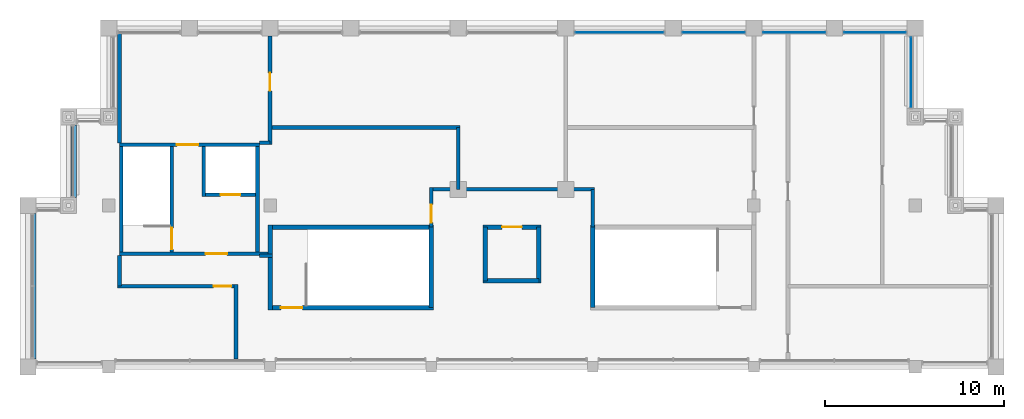
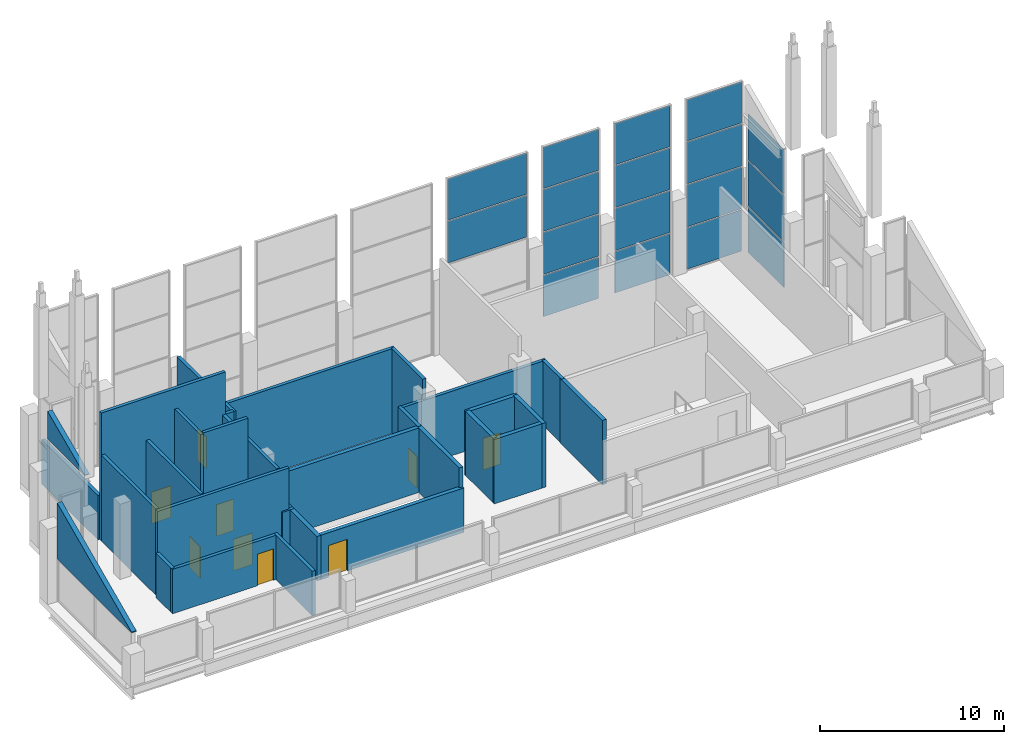
# One storey, part 7 of 9: 30 walls, 17 plates, 9 doors, 9 openings, 5 elements without a shape of their own.
"""IFC4 building model written with IfcOpenShell, lengths in metres."""

from ifc_helpers import new_model, si_unit, direction, frame, frame_2d, origin, origin_2d, place, context, subcontext, project, spatial, polyline, rectangle, outline, extrude, material, layer, layer_set, type_object, element, fill, aggregate, save


model = new_model("IFC4")

# Units and contexts
model_context = context("Model", 3, precision=1e-05, world=origin(), true_north=direction((0.0, 1.0)))
body_context = subcontext(model_context, "Body", "Model", "MODEL_VIEW")
ifc_project = project(units=[si_unit("LENGTHUNIT", "METRE"), si_unit("AREAUNIT", "SQUARE_METRE"), si_unit("VOLUMEUNIT", "CUBIC_METRE"), si_unit("PLANEANGLEUNIT", "RADIAN"), si_unit("MASSUNIT", "GRAM", prefix="KILO")], contexts=[model_context])

# Site, building, storey
site_placement = place(None, origin())
site = spatial("IfcSite", under=ifc_project, at=site_placement, CompositionType="ELEMENT")
building_placement = place(site_placement, origin())
building = spatial("IfcBuilding", under=site, at=building_placement, Name="Corbelhall Arena Tower", CompositionType="ELEMENT")
storey_placement = place(building_placement, frame((0.0, 0.0, 386.0)))
storey = spatial("IfcBuildingStorey", under=building, at=storey_placement, Name="L83", CompositionType="ELEMENT", Elevation=386.0)

# Curtain wall, plates
ifc_material_1 = material(Name="Aluminium black anodised", Category="aluminium")
ifc_layer_1 = layer(ifc_material_1, 0.179931640625)
ifc_layer_set_1 = layer_set([ifc_layer_1], Name="EV-CW3 Crown glazing")
curtain_wall_type = type_object("IfcCurtainWallType", Name="EV-CW3 Crown glazing", PredefinedType="NOTDEFINED", material=ifc_layer_set_1)
curtain_wall_1_placement = place(storey_placement, origin())
curtain_wall_1 = element("IfcCurtainWall", 1, at=curtain_wall_1_placement, inside=storey, type_object=curtain_wall_type, Name="Curtain wall CW3H", PredefinedType="NOTDEFINED")
ifc_material_2 = material(Name="Glass dark tinted laminated", Category="glass")
ifc_layer_2 = layer(ifc_material_2, 0.028076171875)
ifc_layer_set_2 = layer_set([ifc_layer_2], Name="EV-CW3-PANEL")
plate_type = type_object("IfcPlateType", Name="EV-CW3-PANEL", PredefinedType="CURTAIN_PANEL", material=ifc_layer_set_2)
plate_1_placement = place(storey_placement, frame((22.25, 25.425048828125, 0.0751953125), z_axis=(0.0, 0.0, 1.0), x_axis=(0.0, 1.0, 0.0)))
plate_1 = element("IfcPlate", 2, at=plate_1_placement, type_object=plate_type, Name="CW3H panel 1.1", PredefinedType="CURTAIN_PANEL", context=body_context, shape_type="SweptSolid", body=[
    extrude(rectangle(XDim=3.89990234375, YDim=0.028076171875, at=origin_2d()), origin(), (0.0, 0.0, 1.0), 2.996337890625),
])
plate_2_placement = place(storey_placement, frame((22.25, 25.425048828125, 3.146484375), z_axis=(0.0, 0.0, 1.0), x_axis=(0.0, 1.0, 0.0)))
plate_2 = element("IfcPlate", 3, at=plate_2_placement, type_object=plate_type, Name="CW3H panel 1.2", PredefinedType="CURTAIN_PANEL", context=body_context, shape_type="SweptSolid", body=[
    extrude(rectangle(XDim=3.89990234375, YDim=0.028076171875, at=origin_2d()), origin(), (0.0, 0.0, 1.0), 3.033935546875),
])
plate_3_placement = place(storey_placement, frame((22.25, 25.425048828125, 6.25537109375), z_axis=(0.0, 0.0, 1.0), x_axis=(0.0, 1.0, 0.0)))
plate_3 = element("IfcPlate", 4, at=plate_3_placement, type_object=plate_type, Name="CW3H panel 1.3", PredefinedType="CURTAIN_PANEL", context=body_context, shape_type="SweptSolid", body=[
    extrude(rectangle(XDim=3.89990234375, YDim=0.028076171875, at=origin_2d()), origin(), (0.0, 0.0, 1.0), 2.996337890625),
])
aggregate(curtain_wall_1, [plate_1, plate_2, plate_3])

curtain_wall_2_placement = place(storey_placement, origin())
curtain_wall_2 = element("IfcCurtainWall", 5, at=curtain_wall_2_placement, inside=storey, type_object=curtain_wall_type, Name="Curtain wall CW3", PredefinedType="NOTDEFINED")
plate_4_placement = place(storey_placement, frame((20.25, 27.64990234375, 0.0751953125), z_axis=(0.0, 0.0, 1.0), x_axis=(-1.0, 0.0, 0.0)))
plate_4 = element("IfcPlate", 6, at=plate_4_placement, type_object=plate_type, Name="CW3 panel 1.1", PredefinedType="CURTAIN_PANEL", context=body_context, shape_type="SweptSolid", body=[
    extrude(rectangle(XDim=3.449951171875, YDim=0.028076171875, at=origin_2d()), origin(), (0.0, 0.0, 1.0), 2.737548828125),
])
plate_5_placement = place(storey_placement, frame((20.25, 27.64990234375, 2.887451171875), z_axis=(0.0, 0.0, 1.0), x_axis=(-1.0, 0.0, 0.0)))
plate_5 = element("IfcPlate", 7, at=plate_5_placement, type_object=plate_type, Name="CW3 panel 1.2", PredefinedType="CURTAIN_PANEL", context=body_context, shape_type="SweptSolid", body=[
    extrude(rectangle(XDim=3.449951171875, YDim=0.028076171875, at=origin_2d()), origin(), (0.0, 0.0, 1.0), 2.77490234375),
])
plate_6_placement = place(storey_placement, frame((20.25, 27.64990234375, 5.737548828125), z_axis=(0.0, 0.0, 1.0), x_axis=(-1.0, 0.0, 0.0)))
plate_6 = element("IfcPlate", 8, at=plate_6_placement, type_object=plate_type, Name="CW3 panel 1.3", PredefinedType="CURTAIN_PANEL", context=body_context, shape_type="SweptSolid", body=[
    extrude(rectangle(XDim=3.449951171875, YDim=0.028076171875, at=origin_2d()), origin(), (0.0, 0.0, 1.0), 2.77490234375),
])
plate_7_placement = place(storey_placement, frame((20.25, 27.64990234375, 8.58740234375), z_axis=(0.0, 0.0, 1.0), x_axis=(-1.0, 0.0, 0.0)))
plate_7 = element("IfcPlate", 9, at=plate_7_placement, type_object=plate_type, Name="CW3 panel 1.4", PredefinedType="CURTAIN_PANEL", context=body_context, shape_type="SweptSolid", body=[
    extrude(rectangle(XDim=3.449951171875, YDim=0.028076171875, at=origin_2d()), origin(), (0.0, 0.0, 1.0), 2.737548828125),
])
aggregate(curtain_wall_2, [plate_4, plate_5, plate_6, plate_7])

curtain_wall_3_placement = place(storey_placement, origin())
curtain_wall_3 = element("IfcCurtainWall", 10, at=curtain_wall_3_placement, inside=storey, type_object=curtain_wall_type, Name="Curtain wall CW3", PredefinedType="NOTDEFINED")
plate_8_placement = place(storey_placement, frame((15.75, 27.64990234375, 0.0751953125), z_axis=(0.0, 0.0, 1.0), x_axis=(-1.0, 0.0, 0.0)))
plate_8 = element("IfcPlate", 11, at=plate_8_placement, type_object=plate_type, Name="CW3 panel 1.1", PredefinedType="CURTAIN_PANEL", context=body_context, shape_type="SweptSolid", body=[
    extrude(rectangle(XDim=3.449951171875, YDim=0.028076171875, at=origin_2d()), origin(), (0.0, 0.0, 1.0), 2.737548828125),
])
plate_9_placement = place(storey_placement, frame((15.75, 27.64990234375, 2.887451171875), z_axis=(0.0, 0.0, 1.0), x_axis=(-1.0, 0.0, 0.0)))
plate_9 = element("IfcPlate", 12, at=plate_9_placement, type_object=plate_type, Name="CW3 panel 1.2", PredefinedType="CURTAIN_PANEL", context=body_context, shape_type="SweptSolid", body=[
    extrude(rectangle(XDim=3.449951171875, YDim=0.028076171875, at=origin_2d()), origin(), (0.0, 0.0, 1.0), 2.77490234375),
])
plate_10_placement = place(storey_placement, frame((15.75, 27.64990234375, 5.737548828125), z_axis=(0.0, 0.0, 1.0), x_axis=(-1.0, 0.0, 0.0)))
plate_10 = element("IfcPlate", 13, at=plate_10_placement, type_object=plate_type, Name="CW3 panel 1.3", PredefinedType="CURTAIN_PANEL", context=body_context, shape_type="SweptSolid", body=[
    extrude(rectangle(XDim=3.449951171875, YDim=0.028076171875, at=origin_2d()), origin(), (0.0, 0.0, 1.0), 2.77490234375),
])
plate_11_placement = place(storey_placement, frame((15.75, 27.64990234375, 8.58740234375), z_axis=(0.0, 0.0, 1.0), x_axis=(-1.0, 0.0, 0.0)))
plate_11 = element("IfcPlate", 14, at=plate_11_placement, type_object=plate_type, Name="CW3 panel 1.4", PredefinedType="CURTAIN_PANEL", context=body_context, shape_type="SweptSolid", body=[
    extrude(rectangle(XDim=3.449951171875, YDim=0.028076171875, at=origin_2d()), origin(), (0.0, 0.0, 1.0), 2.737548828125),
])
aggregate(curtain_wall_3, [plate_8, plate_9, plate_10, plate_11])

curtain_wall_4_placement = place(storey_placement, origin())
curtain_wall_4 = element("IfcCurtainWall", 15, at=curtain_wall_4_placement, inside=storey, type_object=curtain_wall_type, Name="Curtain wall CW3", PredefinedType="NOTDEFINED")
plate_12_placement = place(storey_placement, frame((11.25, 27.64990234375, 0.0751953125), z_axis=(0.0, 0.0, 1.0), x_axis=(-1.0, 0.0, 0.0)))
plate_12 = element("IfcPlate", 16, at=plate_12_placement, type_object=plate_type, Name="CW3 panel 1.1", PredefinedType="CURTAIN_PANEL", context=body_context, shape_type="SweptSolid", body=[
    extrude(rectangle(XDim=3.449951171875, YDim=0.028076171875, at=origin_2d()), origin(), (0.0, 0.0, 1.0), 2.737548828125),
])
plate_13_placement = place(storey_placement, frame((11.25, 27.64990234375, 2.887451171875), z_axis=(0.0, 0.0, 1.0), x_axis=(-1.0, 0.0, 0.0)))
plate_13 = element("IfcPlate", 17, at=plate_13_placement, type_object=plate_type, Name="CW3 panel 1.2", PredefinedType="CURTAIN_PANEL", context=body_context, shape_type="SweptSolid", body=[
    extrude(rectangle(XDim=3.449951171875, YDim=0.028076171875, at=origin_2d()), origin(), (0.0, 0.0, 1.0), 2.77490234375),
])
plate_14_placement = place(storey_placement, frame((11.25, 27.64990234375, 5.737548828125), z_axis=(0.0, 0.0, 1.0), x_axis=(-1.0, 0.0, 0.0)))
plate_14 = element("IfcPlate", 18, at=plate_14_placement, type_object=plate_type, Name="CW3 panel 1.3", PredefinedType="CURTAIN_PANEL", context=body_context, shape_type="SweptSolid", body=[
    extrude(rectangle(XDim=3.449951171875, YDim=0.028076171875, at=origin_2d()), origin(), (0.0, 0.0, 1.0), 2.77490234375),
])
plate_15_placement = place(storey_placement, frame((11.25, 27.64990234375, 8.58740234375), z_axis=(0.0, 0.0, 1.0), x_axis=(-1.0, 0.0, 0.0)))
plate_15 = element("IfcPlate", 19, at=plate_15_placement, type_object=plate_type, Name="CW3 panel 1.4", PredefinedType="CURTAIN_PANEL", context=body_context, shape_type="SweptSolid", body=[
    extrude(rectangle(XDim=3.449951171875, YDim=0.028076171875, at=origin_2d()), origin(), (0.0, 0.0, 1.0), 2.737548828125),
])
aggregate(curtain_wall_4, [plate_12, plate_13, plate_14, plate_15])

curtain_wall_5_placement = place(storey_placement, origin())
curtain_wall_5 = element("IfcCurtainWall", 20, at=curtain_wall_5_placement, inside=storey, type_object=curtain_wall_type, Name="Curtain wall CW3B", PredefinedType="NOTDEFINED")
plate_16_placement = place(storey_placement, frame((6.0, 27.64990234375, 5.737548828125), z_axis=(0.0, 0.0, 1.0), x_axis=(-1.0, 0.0, 0.0)))
plate_16 = element("IfcPlate", 21, at=plate_16_placement, type_object=plate_type, Name="CW3B panel 1.3", PredefinedType="CURTAIN_PANEL", context=body_context, shape_type="SweptSolid", body=[
    extrude(rectangle(XDim=4.949951171875, YDim=0.028076171875, at=origin_2d()), origin(), (0.0, 0.0, 1.0), 2.77490234375),
])
plate_17_placement = place(storey_placement, frame((6.0, 27.64990234375, 8.58740234375), z_axis=(0.0, 0.0, 1.0), x_axis=(-1.0, 0.0, 0.0)))
plate_17 = element("IfcPlate", 22, at=plate_17_placement, type_object=plate_type, Name="CW3B panel 1.4", PredefinedType="CURTAIN_PANEL", context=body_context, shape_type="SweptSolid", body=[
    extrude(rectangle(XDim=4.949951171875, YDim=0.028076171875, at=origin_2d()), origin(), (0.0, 0.0, 1.0), 2.737548828125),
])
aggregate(curtain_wall_5, [plate_16, plate_17])

# Walls
ifc_material_3 = material(Name="Precast concrete C40/50 with granite facing", Category="masonry")
ifc_layer_3 = layer(ifc_material_3, 0.300048828125)
ifc_layer_set_3 = layer_set([ifc_layer_3], Name="EV-IW3 Parapet 300")
wall_type_1 = type_object("IfcWallType", Name="EV-IW3 Parapet 300", PredefinedType="SOLIDWALL", material=ifc_layer_set_3)
wall_1_placement = place(storey_placement, frame((-24.449951171875, 22.5, 7.02001953125), z_axis=(0.0, 0.0, 1.0), x_axis=(0.0, -1.0, 0.0)))
element("IfcWall", 23, at=wall_1_placement, inside=storey, type_object=wall_type_1, Name="Infill panel IW3A", PredefinedType="SOLIDWALL", context=body_context, shape_type="SweptSolid", body=[
    extrude(outline(polyline([(0.0, 0.0), (4.050048828125, 0.0), (4.050048828125, 0.050048828125), (0.0, 1.840576171875), (0.0, 0.0)])), frame((0.0, 0.14990234375, 0.0), z_axis=(0.0, -1.0, 0.0), x_axis=(1.0, 0.0, 0.0)), (0.0, 0.0, 1.0), 0.300048828125),
])
wall_2_placement = place(storey_placement, frame((-26.699951171875, 17.550048828125, 2.826416015625), z_axis=(0.0, 0.0, 1.0), x_axis=(0.0, -1.0, 0.0)))
element("IfcWall", 24, at=wall_2_placement, inside=storey, type_object=wall_type_1, Name="Infill panel IW3", PredefinedType="SOLIDWALL", context=body_context, shape_type="SweptSolid", body=[
    extrude(outline(polyline([(0.0, 0.0), (8.10009765625, 0.0), (8.10009765625, 0.050048828125), (0.0, 3.727783203125), (0.0, 0.0)])), frame((0.0, 0.14990234375, 0.0), z_axis=(0.0, -1.0, 0.0), x_axis=(1.0, 0.0, 0.0)), (0.0, 0.0, 1.0), 0.300048828125),
])
ifc_material_4 = material(Name="Gypsum board on steel stud, acoustic", Category="steel")
ifc_layer_4 = layer(ifc_material_4, 0.199951171875)
ifc_layer_set_4 = layer_set([ifc_layer_4], Name="IN-W-DM200")
wall_type_2 = type_object("IfcWallType", Name="IN-W-DM200", PredefinedType="PARTITIONING", material=ifc_layer_set_4)
wall_3_placement = place(storey_placement, frame((-21.89990234375, 13.5, 0.0), z_axis=(0.0, 0.0, 1.0), x_axis=(0.0, 1.0, 0.0)))
element("IfcWall", 25, at=wall_3_placement, inside=storey, type_object=wall_type_2, Name="Partition 001", PredefinedType="PARTITIONING", context=body_context, shape_type="SweptSolid", body=[
    extrude(rectangle(XDim=1.699951171875, YDim=0.199951171875, at=frame_2d((0.85009765625, 0.0))), origin(), (0.0, 0.0, 1.0), 2.953125),
])
wall_4_placement = place(storey_placement, frame((-21.89990234375, 21.5, 0.0), z_axis=(0.0, 0.0, 1.0), x_axis=(0.0, 1.0, 0.0)))
element("IfcWall", 26, at=wall_4_placement, inside=storey, type_object=wall_type_2, Name="Partition 002", PredefinedType="PARTITIONING", context=body_context, shape_type="SweptSolid", body=[
    extrude(rectangle(XDim=6.135986328125, YDim=0.199951171875, at=frame_2d((3.06787109375, 0.0))), origin(), (0.0, 0.0, 1.0), 2.953125),
])
wall_5_placement = place(storey_placement, frame((-15.39990234375, 9.449951171875, 0.0), z_axis=(0.0, 0.0, 1.0), x_axis=(0.0, 1.0, 0.0)))
element("IfcWall", 27, at=wall_5_placement, inside=storey, type_object=wall_type_2, Name="Partition 003", PredefinedType="PARTITIONING", context=body_context, shape_type="SweptSolid", body=[
    extrude(rectangle(XDim=4.150146484375, YDim=0.199951171875, at=frame_2d((2.0751953125, 0.0))), origin(), (0.0, 0.0, 1.0), 2.953125),
])

# Wall, opening, door
wall_6_placement = place(storey_placement, frame((-15.39990234375, 13.5, 0.0), z_axis=(0.0, 0.0, 1.0), x_axis=(-1.0, 0.0, 0.0)))
wall_6 = element("IfcWall", 28, at=wall_6_placement, inside=storey, type_object=wall_type_2, Name="Partition 004", PredefinedType="PARTITIONING", context=body_context, shape_type="SweptSolid", body=[
    extrude(rectangle(XDim=6.60009765625, YDim=0.199951171875, at=frame_2d((3.300048828125, 0.0))), origin(), (0.0, 0.0, 1.0), 2.953125),
])
opening_1_placement = place(wall_6_placement, frame((0.25, 0.0, 0.0)))
opening_1 = element("IfcOpeningElement", 29, at=opening_1_placement, cuts=wall_6, Name="Opening 37007", PredefinedType="OPENING", context=body_context, shape_type="SweptSolid", body=[
    extrude(rectangle(XDim=1.0, YDim=2.10009765625, at=frame_2d((0.5, 1.050048828125))), frame((0.0, 0.10009765625, 0.0), z_axis=(0.0, -1.0, 0.0), x_axis=(1.0, 0.0, 0.0)), (0.0, 0.0, 1.0), 0.199951171875),
])
ifc_material_5 = material(Name="Steel door set", Category="steel")
door_type_1 = type_object("IfcDoorType", Name="IN-D-SW100", OperationType="NOTDEFINED", PredefinedType="DOOR", material=ifc_material_5)
door_1_placement = place(opening_1_placement, origin())
door_1 = element("IfcDoor", 30, at=door_1_placement, inside=storey, type_object=door_type_1, Name="Door 007", OperationType="SINGLE_SWING_RIGHT", OverallHeight=2.10009765625, OverallWidth=1.0, PredefinedType="DOOR", context=body_context, shape_type="SweptSolid", body=[
    extrude(rectangle(XDim=1.0, YDim=2.10009765625, at=frame_2d((0.5, 1.050048828125))), frame((0.0, 0.02490234375, 0.0), z_axis=(0.0, -1.0, 0.0), x_axis=(1.0, 0.0, 0.0)), (0.0, 0.0, 1.0), 0.050048828125),
])
fill(opening_1, door_1)

# Walls
wall_7_placement = place(storey_placement, frame((-14.10009765625, 15.199951171875, 0.0), z_axis=(0.0, 0.0, 1.0), x_axis=(1.0, 0.0, 0.0)))
element("IfcWall", 31, at=wall_7_placement, inside=storey, type_object=wall_type_2, Name="Partition 005", PredefinedType="PARTITIONING", context=body_context, shape_type="SweptSolid", body=[
    extrude(rectangle(XDim=0.72509765625, YDim=0.199951171875, at=frame_2d((0.362548828125, 0.0))), origin(), (0.0, 0.0, 1.0), 2.953125),
])
wall_8_placement = place(storey_placement, frame((-13.5, 21.5, 0.0), z_axis=(0.0, 0.0, 1.0), x_axis=(-1.0, 0.0, 0.0)))
element("IfcWall", 32, at=wall_8_placement, inside=storey, type_object=wall_type_2, Name="Partition 006", PredefinedType="PARTITIONING", context=body_context, shape_type="SweptSolid", body=[
    extrude(rectangle(XDim=0.60009765625, YDim=0.199951171875, at=frame_2d((0.300048828125, 0.0))), origin(), (0.0, 0.0, 1.0), 5.63232421875),
])
wall_9_placement = place(storey_placement, frame((-13.5, 22.35009765625, 0.0), z_axis=(0.0, 0.0, 1.0), x_axis=(1.0, 0.0, 0.0)))
element("IfcWall", 33, at=wall_9_placement, inside=storey, type_object=wall_type_2, Name="Partition 007", PredefinedType="PARTITIONING", context=body_context, shape_type="SweptSolid", body=[
    extrude(rectangle(XDim=10.60009765625, YDim=0.199951171875, at=frame_2d((5.300048828125, 0.0))), origin(), (0.0, 0.0, 1.0), 5.63232421875),
])

# Wall, opening, door
wall_10_placement = place(storey_placement, frame((-13.5, 27.449951171875, 0.0), z_axis=(0.0, 0.0, 1.0), x_axis=(0.0, -1.0, 0.0)))
wall_10 = element("IfcWall", 34, at=wall_10_placement, inside=storey, type_object=wall_type_2, Name="Partition 008", PredefinedType="PARTITIONING", context=body_context, shape_type="SweptSolid", body=[
    extrude(rectangle(XDim=6.050048828125, YDim=0.199951171875, at=frame_2d((3.02490234375, 0.0))), origin(), (0.0, 0.0, 1.0), 5.63232421875),
])
opening_2_placement = place(wall_10_placement, frame((2.050048828125, 0.0, 0.0)))
opening_2 = element("IfcOpeningElement", 35, at=opening_2_placement, cuts=wall_10, Name="Opening 37004", PredefinedType="OPENING", context=body_context, shape_type="SweptSolid", body=[
    extrude(rectangle(XDim=1.0, YDim=2.10009765625, at=frame_2d((0.5, 1.050048828125))), frame((0.0, 0.10009765625, 0.0), z_axis=(0.0, -1.0, 0.0), x_axis=(1.0, 0.0, 0.0)), (0.0, 0.0, 1.0), 0.199951171875),
])
door_2_placement = place(opening_2_placement, origin())
door_2 = element("IfcDoor", 36, at=door_2_placement, inside=storey, type_object=door_type_1, Name="Door 004", OperationType="SINGLE_SWING_LEFT", OverallHeight=2.10009765625, OverallWidth=1.0, PredefinedType="DOOR", context=body_context, shape_type="SweptSolid", body=[
    extrude(rectangle(XDim=1.0, YDim=2.10009765625, at=frame_2d((0.5, 1.050048828125))), frame((0.0, 0.02490234375, 0.0), z_axis=(0.0, -1.0, 0.0), x_axis=(1.0, 0.0, 0.0)), (0.0, 0.0, 1.0), 0.050048828125),
])
fill(opening_2, door_2)

wall_11_placement = place(storey_placement, frame((-4.5, 16.800048828125, 0.0), z_axis=(0.0, 0.0, 1.0), x_axis=(0.0, 1.0, 0.0)))
wall_11 = element("IfcWall", 37, at=wall_11_placement, inside=storey, type_object=wall_type_2, Name="Partition 009", PredefinedType="PARTITIONING", context=body_context, shape_type="SweptSolid", body=[
    extrude(rectangle(XDim=2.199951171875, YDim=0.199951171875, at=frame_2d((1.10009765625, 0.0))), origin(), (0.0, 0.0, 1.0), 4.28125),
])
opening_3_placement = place(wall_11_placement, frame((0.25, 0.0, 0.0)))
opening_3 = element("IfcOpeningElement", 38, at=opening_3_placement, cuts=wall_11, Name="Opening 37003", PredefinedType="OPENING", context=body_context, shape_type="SweptSolid", body=[
    extrude(rectangle(XDim=1.0, YDim=2.10009765625, at=frame_2d((0.5, 1.050048828125))), frame((0.0, 0.10009765625, 0.0), z_axis=(0.0, -1.0, 0.0), x_axis=(1.0, 0.0, 0.0)), (0.0, 0.0, 1.0), 0.199951171875),
])
door_3_placement = place(opening_3_placement, origin())
door_3 = element("IfcDoor", 39, at=door_3_placement, inside=storey, type_object=door_type_1, Name="Door 003", OperationType="SINGLE_SWING_RIGHT", OverallHeight=2.10009765625, OverallWidth=1.0, PredefinedType="DOOR", context=body_context, shape_type="SweptSolid", body=[
    extrude(rectangle(XDim=1.0, YDim=2.10009765625, at=frame_2d((0.5, 1.050048828125))), frame((0.0, 0.02490234375, 0.0), z_axis=(0.0, -1.0, 0.0), x_axis=(1.0, 0.0, 0.0)), (0.0, 0.0, 1.0), 0.050048828125),
])
fill(opening_3, door_3)

# Walls
wall_12_placement = place(storey_placement, frame((-4.5, 18.89990234375, 0.0), z_axis=(0.0, 0.0, 1.0), x_axis=(1.0, 0.0, 0.0)))
element("IfcWall", 40, at=wall_12_placement, inside=storey, type_object=wall_type_2, Name="Partition 010", PredefinedType="PARTITIONING", context=body_context, shape_type="SweptSolid", body=[
    extrude(rectangle(XDim=9.10009765625, YDim=0.199951171875, at=frame_2d((4.550048828125, 0.0))), origin(), (0.0, 0.0, 1.0), 4.28125),
])
wall_13_placement = place(storey_placement, frame((-3.0, 22.35009765625, 0.0), z_axis=(0.0, 0.0, 1.0), x_axis=(0.0, -1.0, 0.0)))
element("IfcWall", 41, at=wall_13_placement, inside=storey, type_object=wall_type_2, Name="Partition 011", PredefinedType="PARTITIONING", context=body_context, shape_type="SweptSolid", body=[
    extrude(rectangle(XDim=3.4501953125, YDim=0.199951171875, at=frame_2d((1.72509765625, 0.0))), origin(), (0.0, 0.0, 1.0), 5.63232421875),
])
wall_14_placement = place(storey_placement, frame((4.5, 18.89990234375, 0.0), z_axis=(0.0, 0.0, 1.0), x_axis=(0.0, -1.0, 0.0)))
element("IfcWall", 42, at=wall_14_placement, inside=storey, type_object=wall_type_2, Name="Partition 014", PredefinedType="PARTITIONING", context=body_context, shape_type="SweptSolid", body=[
    extrude(rectangle(XDim=2.099853515625, YDim=0.199951171875, at=frame_2d((1.0498046875, 0.0))), origin(), (0.0, 0.0, 1.0), 4.28125),
])

# Wall, opening, door
ifc_material_6 = material(Name="Concrete C40/50", Category="concrete")
ifc_layer_5 = layer(ifc_material_6, 0.199951171875)
ifc_layer_set_5 = layer_set([ifc_layer_5], Name="IN-W-EAR200")
wall_type_3 = type_object("IfcWallType", Name="IN-W-EAR200", PredefinedType="SOLIDWALL", material=ifc_layer_set_5)
wall_15_placement = place(storey_placement, frame((-21.89990234375, 15.300048828125, 0.0), z_axis=(0.0, 0.0, 1.0), x_axis=(1.0, 0.0, 0.0)))
wall_15 = element("IfcWall", 43, at=wall_15_placement, inside=storey, type_object=wall_type_3, Name="Fire service turret wall south", PredefinedType="SOLIDWALL", context=body_context, shape_type="SweptSolid", body=[
    extrude(rectangle(XDim=8.27490234375, YDim=0.199951171875, at=frame_2d((4.137451171875, 0.0))), origin(), (0.0, 0.0, 1.0), 5.678955078125),
])
opening_4_placement = place(wall_15_placement, frame((4.800048828125, 0.0, 0.0)))
opening_4 = element("IfcOpeningElement", 44, at=opening_4_placement, cuts=wall_15, Name="Opening E372", PredefinedType="OPENING", context=body_context, shape_type="SweptSolid", body=[
    extrude(rectangle(XDim=1.199951171875, YDim=2.10009765625, at=frame_2d((0.60009765625, 1.050048828125))), frame((0.0, 0.10009765625, 0.0), z_axis=(0.0, -1.0, 0.0), x_axis=(1.0, 0.0, 0.0)), (0.0, 0.0, 1.0), 0.199951171875),
])
door_type_2 = type_object("IfcDoorType", Name="IN-D-ST120", OperationType="NOTDEFINED", PredefinedType="DOOR", material=ifc_material_5)
door_4_placement = place(opening_4_placement, origin())
door_4 = element("IfcDoor", 45, at=door_4_placement, inside=storey, type_object=door_type_2, Name="Door from fire service lift lobby to circulation", OperationType="SINGLE_SWING_RIGHT", OverallHeight=2.10009765625, OverallWidth=1.199951171875, PredefinedType="DOOR", context=body_context, shape_type="SweptSolid", body=[
    extrude(rectangle(XDim=1.199951171875, YDim=2.10009765625, at=frame_2d((0.60009765625, 1.050048828125))), frame((0.0, 0.02490234375, 0.0), z_axis=(0.0, -1.0, 0.0), x_axis=(1.0, 0.0, 0.0)), (0.0, 0.0, 1.0), 0.050048828125),
])
fill(opening_4, door_4)

wall_16_placement = place(storey_placement, frame((-21.89990234375, 21.39990234375, 0.0), z_axis=(0.0, 0.0, 1.0), x_axis=(1.0, 0.0, 0.0)))
wall_16 = element("IfcWall", 46, at=wall_16_placement, inside=storey, type_object=wall_type_3, Name="Fire service turret wall north", PredefinedType="SOLIDWALL", context=body_context, shape_type="SweptSolid", body=[
    extrude(rectangle(XDim=7.7998046875, YDim=0.199951171875, at=frame_2d((3.89990234375, 0.0))), origin(), (0.0, 0.0, 1.0), 8.521240234375),
])
opening_5_placement = place(wall_16_placement, frame((3.199951171875, 0.0, 0.0)))
opening_5 = element("IfcOpeningElement", 47, at=opening_5_placement, cuts=wall_16, Name="Opening E373", PredefinedType="OPENING", context=body_context, shape_type="SweptSolid", body=[
    extrude(rectangle(XDim=1.199951171875, YDim=2.10009765625, at=frame_2d((0.60009765625, 1.050048828125))), frame((0.0, 0.10009765625, 0.0), z_axis=(0.0, -1.0, 0.0), x_axis=(1.0, 0.0, 0.0)), (0.0, 0.0, 1.0), 0.199951171875),
])
door_5_placement = place(opening_5_placement, origin())
door_5 = element("IfcDoor", 48, at=door_5_placement, inside=storey, type_object=door_type_2, Name="Door from fire service lift lobby to the north gallery", OperationType="SINGLE_SWING_LEFT", OverallHeight=2.10009765625, OverallWidth=1.199951171875, PredefinedType="DOOR", context=body_context, shape_type="SweptSolid", body=[
    extrude(rectangle(XDim=1.199951171875, YDim=2.10009765625, at=frame_2d((0.60009765625, 1.050048828125))), frame((0.0, 0.02490234375, 0.0), z_axis=(0.0, -1.0, 0.0), x_axis=(1.0, 0.0, 0.0)), (0.0, 0.0, 1.0), 0.050048828125),
])
fill(opening_5, door_5)

# Walls
for number, where, z_axis, x_axis, name in (
    (49, (-21.800048828125, 15.39990234375, 0.0), (0.0, 0.0, 1.0), (0.0, 1.0, 0.0), "Fire service turret wall west"),
    (50, (-14.199951171875, 15.39990234375, 0.0), (0.0, 0.0, 1.0), (0.0, 1.0, 0.0), "Fire service turret wall east"),
):
    element("IfcWall", number, at=place(storey_placement, frame(where, z_axis=z_axis, x_axis=x_axis)), inside=storey, type_object=wall_type_3, Name=name, PredefinedType="SOLIDWALL", context=body_context, shape_type="SweptSolid", body=[
        extrude(rectangle(XDim=5.900146484375, YDim=0.199951171875, at=frame_2d((2.9501953125, 0.0))), origin(), (0.0, 0.0, 1.0), 5.7255859375),
    ])

# Wall, opening, door
wall_17_placement = place(storey_placement, frame((-18.989990234375, 15.39990234375, 0.0), z_axis=(0.0, 0.0, 1.0), x_axis=(0.0, 1.0, 0.0)))
wall_17 = element("IfcWall", 51, at=wall_17_placement, inside=storey, type_object=wall_type_3, Name="Fire service turret wall stair", PredefinedType="SOLIDWALL", context=body_context, shape_type="SweptSolid", body=[
    extrude(rectangle(XDim=5.900146484375, YDim=0.199951171875, at=frame_2d((2.9501953125, 0.0))), origin(), (0.0, 0.0, 1.0), 5.7255859375),
])
opening_6_placement = place(wall_17_placement, frame((0.14990234375, 0.0, 0.0)))
opening_6 = element("IfcOpeningElement", 52, at=opening_6_placement, cuts=wall_17, Name="Opening E371", PredefinedType="OPENING", context=body_context, shape_type="SweptSolid", body=[
    extrude(rectangle(XDim=1.199951171875, YDim=2.10009765625, at=frame_2d((0.60009765625, 1.050048828125))), frame((0.0, 0.10009765625, 0.0), z_axis=(0.0, -1.0, 0.0), x_axis=(1.0, 0.0, 0.0)), (0.0, 0.0, 1.0), 0.199951171875),
])
door_6_placement = place(opening_6_placement, origin())
door_6 = element("IfcDoor", 53, at=door_6_placement, inside=storey, type_object=door_type_2, Name="Stair door to fire service lobby", OperationType="SINGLE_SWING_LEFT", OverallHeight=2.10009765625, OverallWidth=1.199951171875, PredefinedType="DOOR", context=body_context, shape_type="SweptSolid", body=[
    extrude(rectangle(XDim=1.199951171875, YDim=2.10009765625, at=frame_2d((0.60009765625, 1.050048828125))), frame((0.0, 0.02490234375, 0.0), z_axis=(0.0, -1.0, 0.0), x_axis=(1.0, 0.0, 0.0)), (0.0, 0.0, 1.0), 0.050048828125),
])
fill(opening_6, door_6)

# Wall
wall_18_placement = place(storey_placement, frame((-17.199951171875, 18.5, 0.0), z_axis=(0.0, 0.0, 1.0), x_axis=(0.0, 1.0, 0.0)))
element("IfcWall", 54, at=wall_18_placement, inside=storey, type_object=wall_type_3, Name="Fire service turret wall hoistway west", PredefinedType="SOLIDWALL", context=body_context, shape_type="SweptSolid", body=[
    extrude(rectangle(XDim=2.800048828125, YDim=0.199951171875, at=frame_2d((1.39990234375, 0.0))), origin(), (0.0, 0.0, 1.0), 7.170166015625),
])

# Wall, opening, door
wall_19_placement = place(storey_placement, frame((-17.10009765625, 18.60009765625, 0.0), z_axis=(0.0, 0.0, 1.0), x_axis=(1.0, 0.0, 0.0)))
wall_19 = element("IfcWall", 55, at=wall_19_placement, inside=storey, type_object=wall_type_3, Name="Fire service turret wall hoistway south", PredefinedType="SOLIDWALL", context=body_context, shape_type="SweptSolid", body=[
    extrude(rectangle(XDim=2.800048828125, YDim=0.199951171875, at=frame_2d((1.39990234375, 0.0))), origin(), (0.0, 0.0, 1.0), 7.216552734375),
])
opening_7_placement = place(wall_19_placement, frame((0.85009765625, 0.0, 0.0)))
opening_7 = element("IfcOpeningElement", 56, at=opening_7_placement, cuts=wall_19, Name="Opening LD", PredefinedType="OPENING", context=body_context, shape_type="SweptSolid", body=[
    extrude(rectangle(XDim=1.10009765625, YDim=2.10009765625, at=frame_2d((0.550048828125, 1.050048828125))), frame((0.0, 0.10009765625, 0.0), z_axis=(0.0, -1.0, 0.0), x_axis=(1.0, 0.0, 0.0)), (0.0, 0.0, 1.0), 0.199951171875),
])
door_type_3 = type_object("IfcDoorType", Name="IN-D-LD110", OperationType="NOTDEFINED", PredefinedType="DOOR", material=ifc_material_5)
door_7_placement = place(opening_7_placement, origin())
door_7 = element("IfcDoor", 57, at=door_7_placement, inside=storey, type_object=door_type_3, Name="Landing door FS1", OperationType="SLIDING_TO_LEFT", OverallHeight=2.10009765625, OverallWidth=1.10009765625, PredefinedType="DOOR", context=body_context, shape_type="SweptSolid", body=[
    extrude(rectangle(XDim=1.10009765625, YDim=2.10009765625, at=frame_2d((0.550048828125, 1.050048828125))), frame((0.0, 0.02490234375, 0.0), z_axis=(0.0, -1.0, 0.0), x_axis=(1.0, 0.0, 0.0)), (0.0, 0.0, 1.0), 0.050048828125),
])
fill(opening_7, door_7)

ifc_layer_6 = layer(ifc_material_6, 0.25)
ifc_layer_set_6 = layer_set([ifc_layer_6], Name="IN-W-SH250")
wall_type_4 = type_object("IfcWallType", Name="IN-W-SH250", PredefinedType="SOLIDWALL", material=ifc_layer_set_6)
wall_20_placement = place(storey_placement, frame((-1.625, 16.800048828125, 0.0), z_axis=(0.0, 0.0, 1.0), x_axis=(1.0, 0.0, 0.0)))
wall_20 = element("IfcWall", 58, at=wall_20_placement, inside=storey, type_object=wall_type_4, Name="Shaft wall 019", PredefinedType="SOLIDWALL", context=body_context, shape_type="SweptSolid", body=[
    extrude(rectangle(XDim=3.25, YDim=0.25, at=frame_2d((1.625, 0.0))), origin(), (0.0, 0.0, 1.0), 4.28125),
])
opening_8_placement = place(wall_20_placement, frame((1.074951171875, 0.0, 0.0)))
opening_8 = element("IfcOpeningElement", 59, at=opening_8_placement, cuts=wall_20, Name="Opening LD", PredefinedType="OPENING", context=body_context, shape_type="SweptSolid", body=[
    extrude(rectangle(XDim=1.10009765625, YDim=2.10009765625, at=frame_2d((0.550048828125, 1.050048828125))), frame((0.0, 0.125, 0.0), z_axis=(0.0, -1.0, 0.0), x_axis=(1.0, 0.0, 0.0)), (0.0, 0.0, 1.0), 0.25),
])
door_8_placement = place(opening_8_placement, origin())
door_8 = element("IfcDoor", 60, at=door_8_placement, inside=storey, type_object=door_type_3, Name="Landing door C1", OperationType="SLIDING_TO_LEFT", OverallHeight=2.10009765625, OverallWidth=1.10009765625, PredefinedType="DOOR", context=body_context, shape_type="SweptSolid", body=[
    extrude(rectangle(XDim=1.10009765625, YDim=2.10009765625, at=frame_2d((0.550048828125, 1.050048828125))), frame((0.0, 0.02490234375, 0.0), z_axis=(0.0, -1.0, 0.0), x_axis=(1.0, 0.0, 0.0)), (0.0, 0.0, 1.0), 0.050048828125),
])
fill(opening_8, door_8)

# Walls
wall_21_placement = place(storey_placement, frame((-1.5, 13.800048828125, 0.0), z_axis=(0.0, 0.0, 1.0), x_axis=(0.0, 1.0, 0.0)))
element("IfcWall", 61, at=wall_21_placement, inside=storey, type_object=wall_type_4, Name="Shaft wall 020", PredefinedType="SOLIDWALL", context=body_context, shape_type="SweptSolid", body=[
    extrude(rectangle(XDim=3.0, YDim=0.25, at=frame_2d((1.5, 0.0))), origin(), (0.0, 0.0, 1.0), 4.28125),
])
for number, where, z_axis, x_axis, name in (
    (62, (1.5, 13.800048828125, 0.0), (0.0, 0.0, 1.0), (-1.0, 0.0, 0.0), "Shaft wall 021"),
    (63, (1.5, 16.800048828125, 0.0), (0.0, 0.0, 1.0), (0.0, -1.0, 0.0), "Shaft wall 022"),
):
    element("IfcWall", number, at=place(storey_placement, frame(where, z_axis=z_axis, x_axis=x_axis)), inside=storey, type_object=wall_type_4, Name=name, PredefinedType="SOLIDWALL", context=body_context, shape_type="SweptSolid", body=[
        extrude(rectangle(XDim=3.125, YDim=0.25, at=frame_2d((1.5625, 0.0))), origin(), (0.0, 0.0, 1.0), 4.28125),
    ])

# Wall, opening, door
ifc_layer_7 = layer(ifc_material_6, 0.25)
ifc_layer_set_7 = layer_set([ifc_layer_7], Name="IN-W-ST250")
wall_type_5 = type_object("IfcWallType", Name="IN-W-ST250", PredefinedType="SOLIDWALL", material=ifc_layer_set_7)
wall_22_placement = place(storey_placement, frame((-13.5, 12.300048828125, 0.0), z_axis=(0.0, 0.0, 1.0), x_axis=(1.0, 0.0, 0.0)))
wall_22 = element("IfcWall", 64, at=wall_22_placement, inside=storey, type_object=wall_type_5, Name="Shaft wall 023", PredefinedType="SOLIDWALL", context=body_context, shape_type="SweptSolid", body=[
    extrude(rectangle(XDim=9.125, YDim=0.25, at=frame_2d((4.5625, 0.0))), origin(), (0.0, 0.0, 1.0), 2.953125),
])
opening_9_placement = place(wall_22_placement, frame((0.60009765625, 0.0, 0.0)))
opening_9 = element("IfcOpeningElement", 65, at=opening_9_placement, cuts=wall_22, Name="Opening 37001", PredefinedType="OPENING", context=body_context, shape_type="SweptSolid", body=[
    extrude(rectangle(XDim=1.199951171875, YDim=2.10009765625, at=frame_2d((0.60009765625, 1.050048828125))), frame((0.0, 0.125, 0.0), z_axis=(0.0, -1.0, 0.0), x_axis=(1.0, 0.0, 0.0)), (0.0, 0.0, 1.0), 0.25),
])
door_9_placement = place(opening_9_placement, origin())
door_9 = element("IfcDoor", 66, at=door_9_placement, inside=storey, type_object=door_type_2, Name="Door 001", OperationType="SINGLE_SWING_RIGHT", OverallHeight=2.10009765625, OverallWidth=1.199951171875, PredefinedType="DOOR", context=body_context, shape_type="SweptSolid", body=[
    extrude(rectangle(XDim=1.199951171875, YDim=2.10009765625, at=frame_2d((0.60009765625, 1.050048828125))), frame((0.0, 0.02490234375, 0.0), z_axis=(0.0, -1.0, 0.0), x_axis=(1.0, 0.0, 0.0)), (0.0, 0.0, 1.0), 0.050048828125),
])
fill(opening_9, door_9)

# Walls
wall_23_placement = place(storey_placement, frame((-13.5, 12.175048828125, 0.0), z_axis=(0.0, 0.0, 1.0), x_axis=(0.0, 1.0, 0.0)))
element("IfcWall", 67, at=wall_23_placement, inside=storey, type_object=wall_type_5, Name="Shaft wall 024", PredefinedType="SOLIDWALL", context=body_context, shape_type="SweptSolid", body=[
    extrude(rectangle(XDim=4.75, YDim=0.25, at=frame_2d((2.375, 0.0))), origin(), (0.0, 0.0, 1.0), 2.953125),
])
wall_24_placement = place(storey_placement, frame((-13.5, 16.800048828125, 0.0), z_axis=(0.0, 0.0, 1.0), x_axis=(1.0, 0.0, 0.0)))
element("IfcWall", 68, at=wall_24_placement, inside=storey, type_object=wall_type_5, Name="Shaft wall 025", PredefinedType="SOLIDWALL", context=body_context, shape_type="SweptSolid", body=[
    extrude(rectangle(XDim=9.10009765625, YDim=0.25, at=frame_2d((4.550048828125, 0.0))), origin(), (0.0, 0.0, 1.0), 4.28125),
])
for number, where, z_axis, x_axis, name in (
    (69, (-4.5, 16.925048828125, 0.0), (0.0, 0.0, 1.0), (0.0, -1.0, 0.0), "Shaft wall 026"),
    (70, (4.5, 12.300048828125, 0.0), (0.0, 0.0, 1.0), (0.0, 1.0, 0.0), "Shaft wall 029"),
):
    element("IfcWall", number, at=place(storey_placement, frame(where, z_axis=z_axis, x_axis=x_axis)), inside=storey, type_object=wall_type_5, Name=name, PredefinedType="SOLIDWALL", context=body_context, shape_type="SweptSolid", body=[
        extrude(rectangle(XDim=4.625, YDim=0.25, at=frame_2d((2.3125, 0.0))), origin(), (0.0, 0.0, 1.0), 4.28125),
    ])

save(model, "model.ifc")
